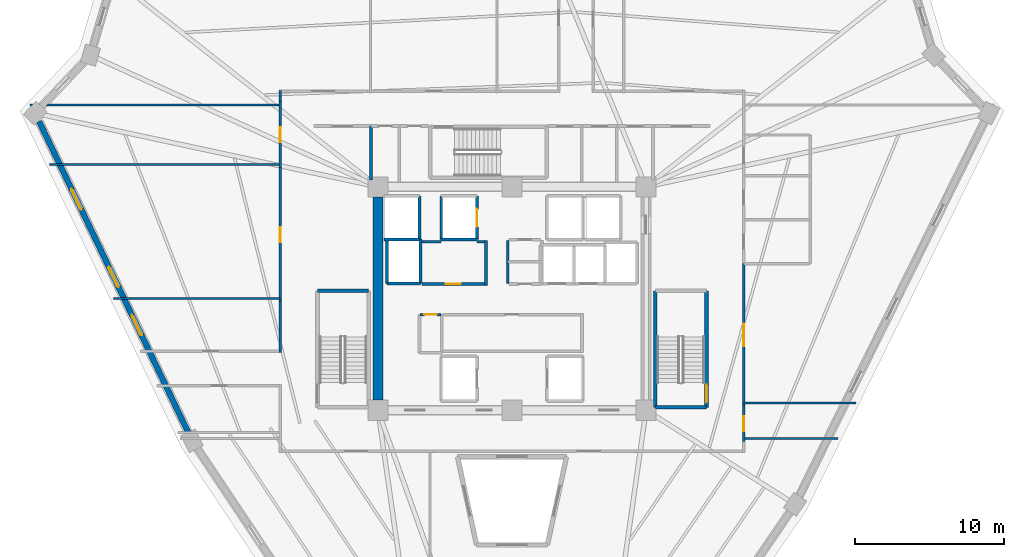
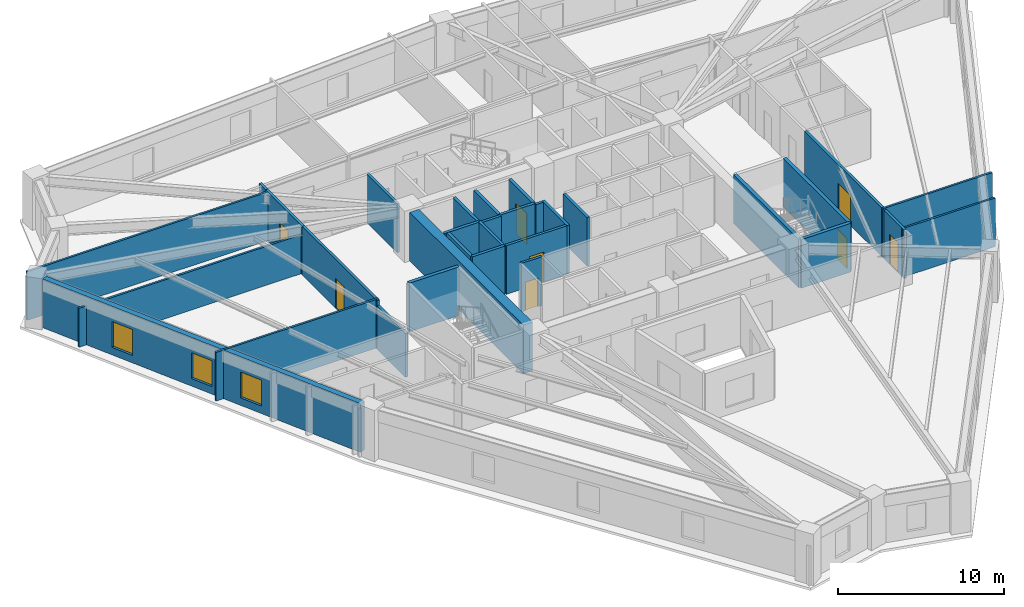
# One storey, part 4 of 8: 32 walls, 8 doors, 3 windows, 11 openings.
"""IFC4 building model written with IfcOpenShell, lengths in metres."""

import ifcopenshell
import ifcopenshell.guid

model = None  # the IFC model being written
_history = None  # IfcOwnerHistory: only IFC2X3 demands one
_inside = {}  # id of a spatial element -> (the spatial element, [elements in it])
_under = {}  # id of a project, library or spatial element -> (it, [spatial elements below it])
_declared = {}  # id of a project -> (the project, [libraries it declares])
_typed = {}  # id of a type object -> (the type object, [elements of that type])
_made_of = {}  # id of a material, layer set ... -> (it, [elements and type objects made of it])


def new_model(schema):
    """Start an empty IFC model of exactly this schema.

    Asked for "IFC4X3", IfcOpenShell would pick the latest addendum, in which some entities
    have other attributes; the version numbers below select the first issue.
    IFC2X3 requires an IfcOwnerHistory on every rooted entity: one is made here for all.
    """
    global model, _history
    if schema == "IFC4X3":
        model = ifcopenshell.file(schema_version=(4, 3, 0, 0))
    else:
        model = ifcopenshell.file(schema=schema)
    _inside.clear()
    _under.clear()
    _declared.clear()
    _typed.clear()
    _made_of.clear()
    _history = None
    if model.schema == "IFC2X3":
        org = make("IfcOrganization", Name="unknown")
        user = make(
            "IfcPersonAndOrganization",
            ThePerson=make("IfcPerson", FamilyName="unknown"),
            TheOrganization=org,
        )
        app = make(
            "IfcApplication",
            ApplicationDeveloper=org,
            Version="unknown",
            ApplicationFullName="unknown",
            ApplicationIdentifier="unknown",
        )
        _history = make(
            "IfcOwnerHistory",
            OwningUser=user,
            OwningApplication=app,
            ChangeAction="ADDED",
            CreationDate=0,
        )
    return model


def make(cls, **values):
    """One entity of the class cls with the attributes given. An attribute that is None is left unset."""
    return model.create_entity(
        cls, **{name: value for name, value in values.items() if value is not None}
    )


def rooted(cls, **values):
    """An entity with a GlobalId (a new one), such as an element, a storey or a relation."""
    return make(cls, GlobalId=ifcopenshell.guid.new(), OwnerHistory=_history, **values)


def si_unit(unit_type, name, prefix=None):
    """IfcSIUnit, for example si_unit("LENGTHUNIT", "METRE", prefix="MILLI")."""
    return make("IfcSIUnit", UnitType=unit_type, Prefix=prefix, Name=name)


def assignment(units):
    """IfcUnitAssignment: the units of a project."""
    return None if units is None else make("IfcUnitAssignment", Units=units)


def point(xyz):
    """IfcCartesianPoint."""
    return None if xyz is None else make("IfcCartesianPoint", Coordinates=xyz)


def direction(xyz):
    """IfcDirection."""
    return None if xyz is None else make("IfcDirection", DirectionRatios=xyz)


def frame(location, z_axis=None, x_axis=None):
    """IfcAxis2Placement3D, a coordinate frame: its origin and axes. An axis left out is left unset."""
    return make(
        "IfcAxis2Placement3D",
        Location=point(location),
        Axis=direction(z_axis),
        RefDirection=direction(x_axis),
    )


def frame_2d(location, x_axis=None):
    """IfcAxis2Placement2D, a coordinate frame in the plane: its origin and x axis."""
    return make(
        "IfcAxis2Placement2D", Location=point(location), RefDirection=direction(x_axis)
    )


def origin():
    """The frame at (0, 0, 0) with its axes left unset."""
    return frame((0.0, 0.0, 0.0))


def place(relative_to, where):
    """IfcLocalPlacement: puts the frame where relative to a parent placement (None: the world)."""
    return make(
        "IfcLocalPlacement", PlacementRelTo=relative_to, RelativePlacement=where
    )


def context(
    kind, dimensions, precision=None, world=None, true_north=None, identifier=None
):
    """IfcGeometricRepresentationContext, for example the 3D "Model" context."""
    return make(
        "IfcGeometricRepresentationContext",
        ContextIdentifier=identifier,
        ContextType=kind,
        CoordinateSpaceDimension=dimensions,
        Precision=precision,
        WorldCoordinateSystem=world,
        TrueNorth=true_north,
    )


def subcontext(parent, identifier, kind, view, scale=None):
    """IfcGeometricRepresentationSubContext, for example "Body" below "Model"."""
    return make(
        "IfcGeometricRepresentationSubContext",
        ContextIdentifier=identifier,
        ContextType=kind,
        ParentContext=parent,
        TargetScale=scale,
        TargetView=view,
    )


def project(units=None, contexts=None):
    """IfcProject with its units and contexts."""
    return rooted(
        "IfcProject",
        Name="project",
        RepresentationContexts=contexts,
        UnitsInContext=assignment(units),
    )


def spatial(cls, under=None, at=None, **own):
    """A site, building, storey or space (cls), placed at a placement, below another one or the project."""
    s = rooted(cls, ObjectPlacement=at, **own)
    if under is not None:
        _under.setdefault(under.id(), (under, []))[1].append(s)
    return s


def profile(cls, at=None, kind="AREA", **sizes):
    """A parametric profile (cls). Its sizes go by their IFC names, for example OverallWidth=200.0."""
    return make(cls, ProfileType=kind, Position=at, **sizes)


def rectangle(**sizes):
    """IfcRectangleProfileDef."""
    return profile("IfcRectangleProfileDef", **sizes)


def extrude(swept, where, along, depth):
    """IfcExtrudedAreaSolid: the profile swept, set in the frame where, extruded along a direction by depth."""
    return make(
        "IfcExtrudedAreaSolid",
        SweptArea=swept,
        Position=where,
        ExtrudedDirection=direction(along),
        Depth=depth,
    )


def shape(context_of_items, identifier, shape_type, items):
    """IfcShapeRepresentation: the items that make up one representation, for example the "Body"."""
    return make(
        "IfcShapeRepresentation",
        ContextOfItems=context_of_items,
        RepresentationIdentifier=identifier,
        RepresentationType=shape_type,
        Items=items,
    )


def source(mapping_origin, context_of_items, identifier, shape_type, items):
    """IfcRepresentationMap: a shape defined once, which mapped items show again and again."""
    return make(
        "IfcRepresentationMap",
        MappingOrigin=mapping_origin,
        MappedRepresentation=shape(context_of_items, identifier, shape_type, items),
    )


def transform(
    local_origin,
    x_axis=None,
    y_axis=None,
    z_axis=None,
    scale=None,
    scale2=None,
    scale3=None,
    uniform=True,
):
    """IfcCartesianTransformationOperator3D, or its non-uniform kind. x_axis, y_axis, z_axis: its Axis1, 2, 3."""
    if uniform:
        return make(
            "IfcCartesianTransformationOperator3D",
            Axis1=direction(x_axis),
            Axis2=direction(y_axis),
            LocalOrigin=point(local_origin),
            Scale=scale,
            Axis3=direction(z_axis),
        )
    return make(
        "IfcCartesianTransformationOperator3DnonUniform",
        Axis1=direction(x_axis),
        Axis2=direction(y_axis),
        LocalOrigin=point(local_origin),
        Scale=scale,
        Axis3=direction(z_axis),
        Scale2=scale2,
        Scale3=scale3,
    )


def mapped(mapping_source, mapping_target):
    """IfcMappedItem: shows the shape of a source again, moved by a transform."""
    return make(
        "IfcMappedItem", MappingSource=mapping_source, MappingTarget=mapping_target
    )


def material(Name=None, Category=None):
    """IfcMaterial."""
    return make("IfcMaterial", Name=Name, Category=Category)


def layer(
    of_material, thickness, ventilated=None, Name=None, Category=None, Priority=None
):
    """IfcMaterialLayer: one layer of a wall or slab, of a material (None: an air gap)."""
    return make(
        "IfcMaterialLayer",
        Material=of_material,
        LayerThickness=thickness,
        IsVentilated=ventilated,
        Name=Name,
        Category=Category,
        Priority=Priority,
    )


def layer_set(layers, Name=None):
    """IfcMaterialLayerSet."""
    return make("IfcMaterialLayerSet", MaterialLayers=layers, LayerSetName=Name)


def made_of(thing, what):
    """Note that an element or type object is made of a material, layer set ...; save() writes the relation."""
    if what is not None:
        _made_of.setdefault(what.id(), (what, []))[1].append(thing)
    return thing


def type_object(cls, material=None, **own):
    """A type object (cls), such as IfcWallType, which elements share."""
    return made_of(rooted(cls, **own), material)


def element(
    cls,
    number,
    at=None,
    inside=None,
    cuts=None,
    type_object=None,
    material=None,
    context=None,
    identifier="Body",
    shape_type=None,
    held_by="IfcProductDefinitionShape",
    body=None,
    shapes=None,
    **own,
):
    """One element of the class cls, such as IfcWall. Its Tag is "e" and its number.

    at: its placement. inside: the storey or other place that contains it. cuts: it is an
    opening in that element (IfcRelVoidsElement). A single representation is given by context,
    identifier, shape_type and body (its items); several are given by shapes. held_by: the class
    of the entity that holds the representations. save() writes the other relations.
    """
    e = rooted(cls, Tag="e%d" % number, ObjectPlacement=at, **own)
    if body is not None:
        shapes = [shape(context, identifier, shape_type, body)]
    if shapes is not None:
        e.Representation = make(held_by, Representations=shapes)
    if inside is not None:
        _inside.setdefault(inside.id(), (inside, []))[1].append(e)
    if cuts is not None:
        rooted(
            "IfcRelVoidsElement", RelatingBuildingElement=cuts, RelatedOpeningElement=e
        )
    if type_object is not None:
        _typed.setdefault(type_object.id(), (type_object, []))[1].append(e)
    return made_of(e, material)


def fill(opening, filler):
    """IfcRelFillsElement: the door or window that sits in an opening."""
    return rooted(
        "IfcRelFillsElement",
        RelatingOpeningElement=opening,
        RelatedBuildingElement=filler,
    )


def aggregate(whole, parts):
    """IfcRelAggregates: a whole, such as a stair, and the parts it consists of."""
    return rooted("IfcRelAggregates", RelatingObject=whole, RelatedObjects=parts)


def save(model, path):
    """Write the relations noted so far, then the file.

    IfcRelAggregates (storeys below a building ...), IfcRelContainedInSpatialStructure (elements
    in a storey), IfcRelDefinesByType, IfcRelAssociatesMaterial and IfcRelDeclares: one each for
    every whole, place, type object, material and project.
    """
    for whole, parts in _under.values():
        aggregate(whole, parts)
    for where, things in _inside.values():
        rooted(
            "IfcRelContainedInSpatialStructure",
            RelatedElements=things,
            RelatingStructure=where,
        )
    for kind, things in _typed.values():
        rooted("IfcRelDefinesByType", RelatedObjects=things, RelatingType=kind)
    for what, things in _made_of.values():
        rooted("IfcRelAssociatesMaterial", RelatedObjects=things, RelatingMaterial=what)
    for by, libraries in _declared.values():
        rooted("IfcRelDeclares", RelatingContext=by, RelatedDefinitions=libraries)
    model.write(path)


model = new_model("IFC4")

# Units and contexts
model_context = context("Model", 3, precision=1e-05, world=origin(), true_north=direction((0.0, 1.0)))
body_context = subcontext(model_context, "Body", "Model", "MODEL_VIEW")
ifc_project = project(units=[si_unit("LENGTHUNIT", "METRE"), si_unit("AREAUNIT", "SQUARE_METRE"), si_unit("VOLUMEUNIT", "CUBIC_METRE"), si_unit("PLANEANGLEUNIT", "RADIAN"), si_unit("MASSUNIT", "GRAM", prefix="KILO")], contexts=[model_context])

# Site, building, storey
site_placement = place(None, origin())
site = spatial("IfcSite", under=ifc_project, at=site_placement, CompositionType="ELEMENT")
building_placement = place(site_placement, origin())
building = spatial("IfcBuilding", under=site, at=building_placement, Name="Liaohun Quay Tower", CompositionType="ELEMENT")
storey_placement = place(building_placement, frame((0.0, 0.0, 251.25)))
storey = spatial("IfcBuildingStorey", under=building, at=storey_placement, Name="L65", CompositionType="ELEMENT", Elevation=251.25)

# Wall
ifc_material_1 = material(Name="Concrete C55", Category="concrete")
ifc_layer_1 = layer(ifc_material_1, 0.64990234375, Name="Concrete C55", Category="concrete")
ifc_layer_set_1 = layer_set([ifc_layer_1], Name="Concrete C55")
wall_type_1 = type_object("IfcWallType", Name="WAL-COR-Z3", PredefinedType="SHEAR", material=ifc_layer_set_1)
wall_1_placement = place(storey_placement, frame((51.0, 47.175048828125, 0.0), z_axis=(0.0, 0.0, 1.0), x_axis=(0.0, 1.0, 0.0)))
element("IfcWall", 1, at=wall_1_placement, inside=storey, type_object=wall_type_1, Name="L65 Central Core Shear Wall W", PredefinedType="SHEAR", context=body_context, shape_type="SweptSolid", body=[
    extrude(rectangle(XDim=13.64990234375, YDim=0.64990234375, at=frame_2d((6.824951171875, 0.0))), origin(), (0.0, 0.0, 1.0), 3.570068359375),
])

# Wall, openings, windows
ifc_material_2 = material(Name="Precast concrete C50 insulated sandwich", Category="concrete")
ifc_layer_2 = layer(ifc_material_2, 0.3798828125, Name="Precast concrete C50 insulated sandwich", Category="concrete")
ifc_layer_set_2 = layer_set([ifc_layer_2], Name="Precast concrete C50 insulated sandwich")
wall_type_2 = type_object("IfcWallType", Name="WAL-EXT-Z34", PredefinedType="SOLIDWALL", material=ifc_layer_set_2)
wall_2_placement = place(storey_placement, frame((28.256103515625, 65.885986328125, 0.0), z_axis=(0.0, 0.0, 1.0), x_axis=(0.432167516052, -0.901793345545, 0.0)))
wall_2 = element("IfcWall", 2, at=wall_2_placement, inside=storey, type_object=wall_type_2, Name="L65 Brutalist Precast Pier Wall 10", PredefinedType="SOLIDWALL", context=body_context, shape_type="SweptSolid", body=[
    extrude(rectangle(XDim=23.1572265625, YDim=0.3798828125, at=frame_2d((11.57861328125, 0.0))), origin(), (0.0, 0.0, 1.0), 3.570068359375),
])
shared_shape_1 = source(origin(), body_context, "Body", "SweptSolid", [
    extrude(rectangle(XDim=1.5, YDim=1.89990234375, at=frame_2d((0.75, 0.949951171875))), frame((0.0, 0.199951171875, 0.0), z_axis=(0.0, -1.0, 0.0), x_axis=(1.0, 0.0, 0.0)), (0.0, 0.0, 1.0), 0.39990234375),
])
opening_1_placement = place(wall_2_placement, frame((5.0390625, 0.0, 0.550048828125)))
opening_1 = element("IfcOpeningElement", 3, at=opening_1_placement, cuts=wall_2, Name="Opening W03", PredefinedType="OPENING", context=body_context, shape_type="MappedRepresentation", body=[
    mapped(shared_shape_1, transform((0.0, 0.0, 0.0), x_axis=(1.0, 0.0, 0.0), y_axis=(0.0, 1.0, 0.0), z_axis=(0.0, 0.0, 1.0), scale=1.0)),
])
opening_2_placement = place(wall_2_placement, frame((10.8291015625, 0.0, 0.550048828125)))
opening_2 = element("IfcOpeningElement", 4, at=opening_2_placement, cuts=wall_2, Name="Opening W03", PredefinedType="OPENING", context=body_context, shape_type="MappedRepresentation", body=[
    mapped(shared_shape_1, transform((0.0, 0.0, 0.0), x_axis=(1.0, 0.0, 0.0), y_axis=(0.0, 1.0, 0.0), z_axis=(0.0, 0.0, 1.0), scale=1.0)),
])
opening_3_placement = place(wall_2_placement, frame((14.41796875, 0.0, 0.550048828125)))
opening_3 = element("IfcOpeningElement", 5, at=opening_3_placement, cuts=wall_2, Name="Opening W03", PredefinedType="OPENING", context=body_context, shape_type="MappedRepresentation", body=[
    mapped(shared_shape_1, transform((0.0, 0.0, 0.0), x_axis=(1.0, 0.0, 0.0), y_axis=(0.0, 1.0, 0.0), z_axis=(0.0, 0.0, 1.0), scale=1.0)),
])
ifc_material_3 = material(Name="Triple Low-E argon glazing in thermally broken aluminium", Category="aluminium")
window_type = type_object("IfcWindowType", Name="WIN-PUN-Z3", PartitioningType="DOUBLE_PANEL_VERTICAL", PredefinedType="WINDOW", material=ifc_material_3)
shared_shape_2 = source(origin(), body_context, "Body", "SweptSolid", [
    extrude(rectangle(XDim=1.5, YDim=1.89990234375, at=frame_2d((0.75, 0.949951171875))), frame((0.0, 0.030029296875, 0.0), z_axis=(0.0, -1.0, 0.0), x_axis=(1.0, 0.0, 0.0)), (0.0, 0.0, 1.0), 0.06005859375),
])
window_1_placement = place(opening_1_placement, origin())
window_1 = element("IfcWindow", 6, at=window_1_placement, inside=storey, type_object=window_type, Name="L65 Recessed Cold-Climate Punched Window 10-1", OverallHeight=1.89990234375, OverallWidth=1.5, PartitioningType="DOUBLE_PANEL_VERTICAL", PredefinedType="WINDOW", context=body_context, shape_type="MappedRepresentation", body=[
    mapped(shared_shape_2, transform((0.0, 0.0, 0.0), x_axis=(1.0, 0.0, 0.0), y_axis=(0.0, 1.0, 0.0), z_axis=(0.0, 0.0, 1.0), scale=1.0)),
])
fill(opening_1, window_1)
window_2_placement = place(opening_2_placement, origin())
window_2 = element("IfcWindow", 7, at=window_2_placement, inside=storey, type_object=window_type, Name="L65 Recessed Cold-Climate Punched Window 10-2", OverallHeight=1.89990234375, OverallWidth=1.5, PartitioningType="DOUBLE_PANEL_VERTICAL", PredefinedType="WINDOW", context=body_context, shape_type="MappedRepresentation", body=[
    mapped(shared_shape_2, transform((0.0, 0.0, 0.0), x_axis=(1.0, 0.0, 0.0), y_axis=(0.0, 1.0, 0.0), z_axis=(0.0, 0.0, 1.0), scale=1.0)),
])
fill(opening_2, window_2)
window_3_placement = place(opening_3_placement, origin())
window_3 = element("IfcWindow", 8, at=window_3_placement, inside=storey, type_object=window_type, Name="L65 Recessed Cold-Climate Punched Window 10-3", OverallHeight=1.89990234375, OverallWidth=1.5, PartitioningType="DOUBLE_PANEL_VERTICAL", PredefinedType="WINDOW", context=body_context, shape_type="MappedRepresentation", body=[
    mapped(shared_shape_2, transform((0.0, 0.0, 0.0), x_axis=(1.0, 0.0, 0.0), y_axis=(0.0, 1.0, 0.0), z_axis=(0.0, 0.0, 1.0), scale=1.0)),
])
fill(opening_3, window_3)

# Wall, opening, door
ifc_material_4 = material(Name="Autoclaved aerated concrete blockwork", Category="masonry")
ifc_layer_3 = layer(ifc_material_4, 0.179931640625, Name="Autoclaved aerated concrete blockwork", Category="masonry")
ifc_layer_set_3 = layer_set([ifc_layer_3], Name="Autoclaved aerated concrete blockwork")
wall_type_3 = type_object("IfcWallType", Name="WAL-PRT-COR", PredefinedType="PARTITIONING", material=ifc_layer_set_3)
wall_3_placement = place(storey_placement, frame((53.949951171875, 54.97998046875, 0.0), z_axis=(0.0, 0.0, 1.0), x_axis=(1.0, 0.0, 0.0)))
wall_3 = element("IfcWall", 9, at=wall_3_placement, inside=storey, type_object=wall_type_3, Name="L65 Interior Partition Wall 002", PredefinedType="PARTITIONING", context=body_context, shape_type="SweptSolid", body=[
    extrude(rectangle(XDim=4.2099609375, YDim=0.179931640625, at=frame_2d((2.10498046875, 0.0))), origin(), (0.0, 0.0, 1.0), 3.570068359375),
])
shared_shape_3 = source(origin(), body_context, "Body", "SweptSolid", [
    extrude(rectangle(XDim=1.0, YDim=2.199951171875, at=frame_2d((0.5, 1.10009765625))), frame((0.0, 0.099853515625, 0.0), z_axis=(0.0, -1.0, 0.0), x_axis=(1.0, 0.0, 0.0)), (0.0, 0.0, 1.0), 0.199951171875),
])
opening_4_placement = place(wall_3_placement, frame((1.60009765625, 0.0, 0.0)))
opening_4 = element("IfcOpeningElement", 10, at=opening_4_placement, cuts=wall_3, Name="Opening OD1", PredefinedType="OPENING", context=body_context, shape_type="MappedRepresentation", body=[
    mapped(shared_shape_3, transform((0.0, 0.0, 0.0), x_axis=(1.0, 0.0, 0.0), y_axis=(0.0, 1.0, 0.0), z_axis=(0.0, 0.0, 1.0), scale=1.0)),
])
ifc_material_5 = material(Name="Solid-core oak veneer timber leaf in steel frame", Category="steel")
door_type_1 = type_object("IfcDoorType", Name="DOR-OFF-1000", OperationType="NOTDEFINED", PredefinedType="DOOR", material=ifc_material_5)
shared_shape_4 = source(origin(), body_context, "Body", "SweptSolid", [
    extrude(rectangle(XDim=1.0, YDim=2.199951171875, at=frame_2d((0.5, 1.10009765625))), frame((0.0, 0.02490234375, 0.0), z_axis=(0.0, -1.0, 0.0), x_axis=(1.0, 0.0, 0.0)), (0.0, 0.0, 1.0), 0.050048828125),
])
door_1_placement = place(opening_4_placement, origin())
door_1 = element("IfcDoor", 11, at=door_1_placement, inside=storey, type_object=door_type_1, Name="L65 Core Staff Pantry and Tea Room Door", OperationType="SINGLE_SWING_RIGHT", OverallHeight=2.199951171875, OverallWidth=1.0, PredefinedType="DOOR", context=body_context, shape_type="MappedRepresentation", body=[
    mapped(shared_shape_4, transform((0.0, 0.0, 0.0), x_axis=(1.0, 0.0, 0.0), y_axis=(0.0, 1.0, 0.0), z_axis=(0.0, 0.0, 1.0), scale=1.0)),
])
fill(opening_4, door_1)

wall_4_placement = place(storey_placement, frame((53.820068359375, 52.919921875, 0.0), z_axis=(0.0, 0.0, 1.0), x_axis=(1.0, 0.0, 0.0)))
wall_4 = element("IfcWall", 12, at=wall_4_placement, inside=storey, type_object=wall_type_3, Name="L65 Interior Partition Wall 005", PredefinedType="PARTITIONING", context=body_context, shape_type="SweptSolid", body=[
    extrude(rectangle(XDim=1.429931640625, YDim=0.179931640625, at=frame_2d((0.71484375, 0.0))), origin(), (0.0, 0.0, 1.0), 3.570068359375),
])
shared_shape_5 = source(origin(), body_context, "Body", "SweptSolid", [
    extrude(rectangle(XDim=0.85009765625, YDim=2.10009765625, at=frame_2d((0.425048828125, 1.050048828125))), frame((0.0, 0.099853515625, 0.0), z_axis=(0.0, -1.0, 0.0), x_axis=(1.0, 0.0, 0.0)), (0.0, 0.0, 1.0), 0.199951171875),
])
opening_5_placement = place(wall_4_placement, frame((0.2900390625, 0.0, 0.0)))
opening_5 = element("IfcOpeningElement", 13, at=opening_5_placement, cuts=wall_4, Name="Opening AD1", PredefinedType="OPENING", context=body_context, shape_type="MappedRepresentation", body=[
    mapped(shared_shape_5, transform((0.0, 0.0, 0.0), x_axis=(1.0, 0.0, 0.0), y_axis=(0.0, 1.0, 0.0), z_axis=(0.0, 0.0, 1.0), scale=1.0)),
])
ifc_material_6 = material(Name="Steel riser inspection fire door", Category="steel")
door_type_2 = type_object("IfcDoorType", Name="DOR-SHF-850", OperationType="NOTDEFINED", PredefinedType="DOOR", material=ifc_material_6)
shared_shape_6 = source(origin(), body_context, "Body", "SweptSolid", [
    extrude(rectangle(XDim=0.85009765625, YDim=2.10009765625, at=frame_2d((0.425048828125, 1.050048828125))), frame((0.0, 0.02490234375, 0.0), z_axis=(0.0, -1.0, 0.0), x_axis=(1.0, 0.0, 0.0)), (0.0, 0.0, 1.0), 0.050048828125),
])
door_2_placement = place(opening_5_placement, origin())
door_2 = element("IfcDoor", 14, at=door_2_placement, inside=storey, type_object=door_type_2, Name="L65 Core Fire Hose and Riser Closet Door", OperationType="SINGLE_SWING_LEFT", OverallHeight=2.10009765625, OverallWidth=0.85009765625, PredefinedType="DOOR", context=body_context, shape_type="MappedRepresentation", body=[
    mapped(shared_shape_6, transform((0.0, 0.0, 0.0), x_axis=(1.0, 0.0, 0.0), y_axis=(0.0, 1.0, 0.0), z_axis=(0.0, 0.0, 1.0), scale=1.0)),
])
fill(opening_5, door_2)

wall_5_placement = place(storey_placement, frame((75.56005859375, 56.340087890625, 0.0), z_axis=(0.0, 0.0, 1.0), x_axis=(0.0, -1.0, 0.0)))
wall_5 = element("IfcWall", 15, at=wall_5_placement, inside=storey, type_object=wall_type_3, Name="L65 Interior Partition Wall 016", PredefinedType="PARTITIONING", context=body_context, shape_type="SweptSolid", body=[
    extrude(rectangle(XDim=9.55517578125, YDim=0.179931640625, at=frame_2d((4.777587890625, 0.0))), origin(), (0.0, 0.0, 1.0), 3.570068359375),
])
shared_shape_7 = source(origin(), body_context, "Body", "SweptSolid", [
    extrude(rectangle(XDim=1.5, YDim=2.199951171875, at=frame_2d((0.75, 1.10009765625))), frame((0.0, 0.099853515625, 0.0), z_axis=(0.0, -1.0, 0.0), x_axis=(1.0, 0.0, 0.0)), (0.0, 0.0, 1.0), 0.199951171875),
])
opening_6_placement = place(wall_5_placement, frame((4.028076171875, 0.0, 0.0)))
opening_6 = element("IfcOpeningElement", 16, at=opening_6_placement, cuts=wall_5, Name="Opening OD2", PredefinedType="OPENING", context=body_context, shape_type="MappedRepresentation", body=[
    mapped(shared_shape_7, transform((0.0, 0.0, 0.0), x_axis=(1.0, 0.0, 0.0), y_axis=(0.0, 1.0, 0.0), z_axis=(0.0, 0.0, 1.0), scale=1.0)),
])
ifc_material_7 = material(Name="Acoustic oak veneer double door")
door_type_3 = type_object("IfcDoorType", Name="DOR-OFF-1500", OperationType="DOUBLE_DOOR_SINGLE_SWING", PredefinedType="DOOR", material=ifc_material_7)
shared_shape_8 = source(origin(), body_context, "Body", "SweptSolid", [
    extrude(rectangle(XDim=1.5, YDim=2.199951171875, at=frame_2d((0.75, 1.10009765625))), frame((0.0, 0.02490234375, 0.0), z_axis=(0.0, -1.0, 0.0), x_axis=(1.0, 0.0, 0.0)), (0.0, 0.0, 1.0), 0.050048828125),
])
door_3_placement = place(opening_6_placement, origin())
door_3 = element("IfcDoor", 17, at=door_3_placement, inside=storey, type_object=door_type_3, Name="L65 Digital Prototyping Laboratory 01 Door", OperationType="DOUBLE_DOOR_SINGLE_SWING", OverallHeight=2.199951171875, OverallWidth=1.5, PredefinedType="DOOR", context=body_context, shape_type="MappedRepresentation", body=[
    mapped(shared_shape_8, transform((0.0, 0.0, 0.0), x_axis=(1.0, 0.0, 0.0), y_axis=(0.0, 1.0, 0.0), z_axis=(0.0, 0.0, 1.0), scale=1.0)),
])
fill(opening_6, door_3)

wall_6_placement = place(storey_placement, frame((44.43994140625, 62.784912109375, 0.0), z_axis=(0.0, 0.0, 1.0), x_axis=(0.0, 1.0, 0.0)))
wall_6 = element("IfcWall", 18, at=wall_6_placement, inside=storey, type_object=wall_type_3, Name="L65 Interior Partition Wall 022", PredefinedType="PARTITIONING", context=body_context, shape_type="SweptSolid", body=[
    extrude(rectangle(XDim=4.43017578125, YDim=0.179931640625, at=frame_2d((2.215087890625, 0.0))), origin(), (0.0, 0.0, 1.0), 3.570068359375),
])
opening_7_placement = place(wall_6_placement, frame((1.715087890625, 0.0, 0.0)))
opening_7 = element("IfcOpeningElement", 19, at=opening_7_placement, cuts=wall_6, Name="Opening OD1", PredefinedType="OPENING", context=body_context, shape_type="MappedRepresentation", body=[
    mapped(shared_shape_3, transform((0.0, 0.0, 0.0), x_axis=(1.0, 0.0, 0.0), y_axis=(0.0, 1.0, 0.0), z_axis=(0.0, 0.0, 1.0), scale=1.0)),
])
door_4_placement = place(opening_7_placement, origin())
door_4 = element("IfcDoor", 20, at=door_4_placement, inside=storey, type_object=door_type_1, Name="L65 Digital Prototyping Laboratory 07 Door", OperationType="SINGLE_SWING_RIGHT", OverallHeight=2.199951171875, OverallWidth=1.0, PredefinedType="DOOR", context=body_context, shape_type="MappedRepresentation", body=[
    mapped(shared_shape_4, transform((0.0, 0.0, 0.0), x_axis=(1.0, 0.0, 0.0), y_axis=(0.0, 1.0, 0.0), z_axis=(0.0, 0.0, 1.0), scale=1.0)),
])
fill(opening_7, door_4)

wall_7_placement = place(storey_placement, frame((44.43994140625, 53.784912109375, 0.0), z_axis=(0.0, 0.0, 1.0), x_axis=(0.0, 1.0, 0.0)))
wall_7 = element("IfcWall", 21, at=wall_7_placement, inside=storey, type_object=wall_type_3, Name="L65 Interior Partition Wall 023", PredefinedType="PARTITIONING", context=body_context, shape_type="SweptSolid", body=[
    extrude(rectangle(XDim=9.0, YDim=0.179931640625, at=frame_2d((4.5, 0.0))), origin(), (0.0, 0.0, 1.0), 3.570068359375),
])
opening_8_placement = place(wall_7_placement, frame((4.0, 0.0, 0.0)))
opening_8 = element("IfcOpeningElement", 22, at=opening_8_placement, cuts=wall_7, Name="Opening OD1", PredefinedType="OPENING", context=body_context, shape_type="MappedRepresentation", body=[
    mapped(shared_shape_3, transform((0.0, 0.0, 0.0), x_axis=(1.0, 0.0, 0.0), y_axis=(0.0, 1.0, 0.0), z_axis=(0.0, 0.0, 1.0), scale=1.0)),
])
door_5_placement = place(opening_8_placement, origin())
door_5 = element("IfcDoor", 23, at=door_5_placement, inside=storey, type_object=door_type_1, Name="L65 Occupational Wellness Clinic 08 Door", OperationType="SINGLE_SWING_LEFT", OverallHeight=2.199951171875, OverallWidth=1.0, PredefinedType="DOOR", context=body_context, shape_type="MappedRepresentation", body=[
    mapped(shared_shape_4, transform((0.0, 0.0, 0.0), x_axis=(1.0, 0.0, 0.0), y_axis=(0.0, 1.0, 0.0), z_axis=(0.0, 0.0, 1.0), scale=1.0)),
])
fill(opening_8, door_5)

wall_8_placement = place(storey_placement, frame((75.56005859375, 46.784912109375, 0.0), z_axis=(0.0, 0.0, 1.0), x_axis=(0.0, -1.0, 0.0)))
wall_8 = element("IfcWall", 24, at=wall_8_placement, inside=storey, type_object=wall_type_3, Name="L65 Interior Partition Wall 028", PredefinedType="PARTITIONING", context=body_context, shape_type="SweptSolid", body=[
    extrude(rectangle(XDim=2.39990234375, YDim=0.179931640625, at=frame_2d((1.199951171875, 0.0))), origin(), (0.0, 0.0, 1.0), 3.570068359375),
])
opening_9_placement = place(wall_8_placement, frame((0.699951171875, 0.0, 0.0)))
opening_9 = element("IfcOpeningElement", 25, at=opening_9_placement, cuts=wall_8, Name="Opening OD1", PredefinedType="OPENING", context=body_context, shape_type="MappedRepresentation", body=[
    mapped(shared_shape_3, transform((0.0, 0.0, 0.0), x_axis=(1.0, 0.0, 0.0), y_axis=(0.0, 1.0, 0.0), z_axis=(0.0, 0.0, 1.0), scale=1.0)),
])
door_6_placement = place(opening_9_placement, origin())
door_6 = element("IfcDoor", 26, at=door_6_placement, inside=storey, type_object=door_type_1, Name="L65 Regional Advisory Office 13 Door", OperationType="SINGLE_SWING_RIGHT", OverallHeight=2.199951171875, OverallWidth=1.0, PredefinedType="DOOR", context=body_context, shape_type="MappedRepresentation", body=[
    mapped(shared_shape_4, transform((0.0, 0.0, 0.0), x_axis=(1.0, 0.0, 0.0), y_axis=(0.0, 1.0, 0.0), z_axis=(0.0, 0.0, 1.0), scale=1.0)),
])
fill(opening_9, door_6)

# Walls
wall_9_placement = place(storey_placement, frame((59.719970703125, 55.02001953125, 0.0), z_axis=(0.0, 0.0, 1.0), x_axis=(0.0, 1.0, 0.0)))
element("IfcWall", 27, at=wall_9_placement, inside=storey, type_object=wall_type_3, Name="L65 Interior Partition Wall 029", PredefinedType="PARTITIONING", context=body_context, shape_type="SweptSolid", body=[
    extrude(rectangle(XDim=2.8798828125, YDim=0.179931640625, at=frame_2d((1.43994140625, 0.0))), origin(), (0.0, 0.0, 1.0), 3.570068359375),
])
wall_10_placement = place(storey_placement, frame((50.5400390625, 61.949951171875, 0.0), z_axis=(0.0, 0.0, 1.0), x_axis=(0.0, 1.0, 0.0)))
element("IfcWall", 28, at=wall_10_placement, inside=storey, type_object=wall_type_3, Name="L65 Interior Partition Wall 040", PredefinedType="PARTITIONING", context=body_context, shape_type="SweptSolid", body=[
    extrude(rectangle(XDim=3.630126953125, YDim=0.179931640625, at=frame_2d((1.81494140625, 0.0))), origin(), (0.0, 0.0, 1.0), 3.570068359375),
])
wall_11_placement = place(storey_placement, frame((44.43994140625, 67.215087890625, 0.0), z_axis=(0.0, 0.0, 1.0), x_axis=(0.0, 1.0, 0.0)))
element("IfcWall", 29, at=wall_11_placement, inside=storey, type_object=wall_type_3, Name="L65 Interior Partition Wall 049", PredefinedType="PARTITIONING", context=body_context, shape_type="SweptSolid", body=[
    extrude(rectangle(XDim=0.764892578125, YDim=0.179931640625, at=frame_2d((0.38232421875, 0.0))), origin(), (0.0, 0.0, 1.0), 3.570068359375),
])
wall_12_placement = place(storey_placement, frame((44.43994140625, 50.389892578125, 0.0), z_axis=(0.0, 0.0, 1.0), x_axis=(0.0, 1.0, 0.0)))
element("IfcWall", 30, at=wall_12_placement, inside=storey, type_object=wall_type_3, Name="L65 Interior Partition Wall 050", PredefinedType="PARTITIONING", context=body_context, shape_type="SweptSolid", body=[
    extrude(rectangle(XDim=3.39501953125, YDim=0.179931640625, at=frame_2d((1.697509765625, 0.0))), origin(), (0.0, 0.0, 1.0), 3.205078125),
])
wall_13_placement = place(storey_placement, frame((58.25, 54.889892578125, 0.0), z_axis=(0.0, 0.0, 1.0), x_axis=(0.0, 1.0, 0.0)))
element("IfcWall", 31, at=wall_13_placement, inside=storey, type_object=wall_type_3, Name="L65 Interior Partition Wall 068", PredefinedType="PARTITIONING", context=body_context, shape_type="SweptSolid", body=[
    extrude(rectangle(XDim=3.02001953125, YDim=0.179931640625, at=frame_2d((1.510009765625, 0.0))), origin(), (0.0, 0.0, 1.0), 3.570068359375),
])
wall_14_placement = place(storey_placement, frame((53.949951171875, 57.820068359375, 0.0), z_axis=(0.0, 0.0, 1.0), x_axis=(1.0, 0.0, 0.0)))
element("IfcWall", 32, at=wall_14_placement, inside=storey, type_object=wall_type_3, Name="L65 Interior Partition Wall 069", PredefinedType="PARTITIONING", context=body_context, shape_type="SweptSolid", body=[
    extrude(rectangle(XDim=1.300048828125, YDim=0.179931640625, at=frame_2d((0.64990234375, 0.0))), origin(), (0.0, 0.0, 1.0), 3.570068359375),
])
wall_15_placement = place(storey_placement, frame((57.64990234375, 57.820068359375, 0.0), z_axis=(0.0, 0.0, 1.0), x_axis=(1.0, 0.0, 0.0)))
element("IfcWall", 33, at=wall_15_placement, inside=storey, type_object=wall_type_3, Name="L65 Interior Partition Wall 070", PredefinedType="PARTITIONING", context=body_context, shape_type="SweptSolid", body=[
    extrude(rectangle(XDim=0.510009765625, YDim=0.179931640625, at=frame_2d((0.2548828125, 0.0))), origin(), (0.0, 0.0, 1.0), 3.570068359375),
])
ifc_material_8 = material(Name="Gypsum board on twin steel studs", Category="steel")
ifc_layer_4 = layer(ifc_material_8, 0.139892578125, Name="Gypsum board on twin steel studs", Category="steel")
ifc_layer_set_4 = layer_set([ifc_layer_4], Name="Gypsum board on twin steel studs")
wall_type_4 = type_object("IfcWallType", Name="WAL-PRT-OFF", PredefinedType="PARTITIONING", material=ifc_layer_set_4)
wall_16_placement = place(storey_placement, frame((44.5400390625, 54.0, 0.0), z_axis=(0.0, 0.0, 1.0), x_axis=(-1.0, 0.0, 0.0)))
element("IfcWall", 34, at=wall_16_placement, inside=storey, type_object=wall_type_4, Name="L65 Interior Partition Wall 056", PredefinedType="PARTITIONING", context=body_context, shape_type="SweptSolid", body=[
    extrude(rectangle(XDim=11.287109375, YDim=0.139892578125, at=frame_2d((5.6435546875, 0.0))), origin(), (0.0, 0.0, 1.0), 3.570068359375),
])
wall_17_placement = place(storey_placement, frame((44.5400390625, 63.0, 0.0), z_axis=(0.0, 0.0, 1.0), x_axis=(-1.0, 0.0, 0.0)))
element("IfcWall", 35, at=wall_17_placement, inside=storey, type_object=wall_type_4, Name="L65 Interior Partition Wall 057", PredefinedType="PARTITIONING", context=body_context, shape_type="SweptSolid", body=[
    extrude(rectangle(XDim=15.60009765625, YDim=0.139892578125, at=frame_2d((7.800048828125, 0.0))), origin(), (0.0, 0.0, 1.0), 2.85498046875),
])
wall_18_placement = place(storey_placement, frame((44.5400390625, 67.0, 0.0), z_axis=(0.0, 0.0, 1.0), x_axis=(-1.0, 0.0, 0.0)))
element("IfcWall", 36, at=wall_18_placement, inside=storey, type_object=wall_type_4, Name="L65 Interior Partition Wall 058", PredefinedType="PARTITIONING", context=body_context, shape_type="SweptSolid", body=[
    extrude(rectangle(XDim=16.887939453125, YDim=0.139892578125, at=frame_2d((8.44384765625, 0.0))), origin(), (0.0, 0.0, 1.0), 3.570068359375),
])
wall_19_placement = place(storey_placement, frame((75.4599609375, 44.60009765625, 0.0), z_axis=(0.0, 0.0, 1.0), x_axis=(1.0, 0.0, 0.0)))
element("IfcWall", 37, at=wall_19_placement, inside=storey, type_object=wall_type_4, Name="L65 Interior Partition Wall 059", PredefinedType="PARTITIONING", context=body_context, shape_type="SweptSolid", body=[
    extrude(rectangle(XDim=6.43701171875, YDim=0.139892578125, at=frame_2d((3.218505859375, 0.0))), origin(), (0.0, 0.0, 1.0), 3.570068359375),
])
wall_20_placement = place(storey_placement, frame((75.4599609375, 47.0, 0.0), z_axis=(0.0, 0.0, 1.0), x_axis=(1.0, 0.0, 0.0)))
element("IfcWall", 38, at=wall_20_placement, inside=storey, type_object=wall_type_4, Name="L65 Interior Partition Wall 060", PredefinedType="PARTITIONING", context=body_context, shape_type="SweptSolid", body=[
    extrude(rectangle(XDim=7.625, YDim=0.139892578125, at=frame_2d((3.8125, 0.0))), origin(), (0.0, 0.0, 1.0), 3.570068359375),
])
ifc_material_9 = material(Name="Concrete C50", Category="concrete")
ifc_layer_5 = layer(ifc_material_9, 0.239990234375, Name="Concrete C50", Category="concrete")
ifc_layer_set_5 = layer_set([ifc_layer_5], Name="Concrete C50")
wall_type_5 = type_object("IfcWallType", Name="WAL-SHF-200", PredefinedType="SOLIDWALL", material=ifc_layer_set_5)
for number, where, z_axis, x_axis, name in (
    (39, (50.3798828125, 54.52001953125, 0.0), (0.0, 0.0, 1.0), (-1.0, 0.0, 0.0), "L65 Stairwell ST-1 Structural Core Wall N"),
    (40, (69.6201171875, 46.699951171875, 0.0), (0.0, 0.0, 1.0), (1.0, 0.0, 0.0), "L65 Stairwell ST-2 Structural Core Wall S"),
):
    element("IfcWall", number, at=place(storey_placement, frame(where, z_axis=z_axis, x_axis=x_axis)), inside=storey, type_object=wall_type_5, Name=name, PredefinedType="SOLIDWALL", context=body_context, shape_type="SweptSolid", body=[
        extrude(rectangle(XDim=3.43994140625, YDim=0.239990234375, at=frame_2d((1.719970703125, 0.0))), origin(), (0.0, 0.0, 1.0), 3.570068359375),
    ])

# Wall, opening, door
wall_21_placement = place(storey_placement, frame((73.06005859375, 46.699951171875, 0.0), z_axis=(0.0, 0.0, 1.0), x_axis=(0.0, 1.0, 0.0)))
wall_21 = element("IfcWall", 41, at=wall_21_placement, inside=storey, type_object=wall_type_5, Name="L65 Stairwell ST-2 Structural Core Wall E", PredefinedType="SOLIDWALL", context=body_context, shape_type="SweptSolid", body=[
    extrude(rectangle(XDim=7.820068359375, YDim=0.239990234375, at=frame_2d((3.91015625, 0.0))), origin(), (0.0, 0.0, 1.0), 3.570068359375),
])
shared_shape_9 = source(origin(), body_context, "Body", "SweptSolid", [
    extrude(rectangle(XDim=1.199951171875, YDim=2.199951171875, at=frame_2d((0.60009765625, 1.10009765625))), frame((0.0, 0.1298828125, 0.0), z_axis=(0.0, -1.0, 0.0), x_axis=(1.0, 0.0, 0.0)), (0.0, 0.0, 1.0), 0.260009765625),
])
opening_10_placement = place(wall_21_placement, frame((0.320068359375, 0.0, 0.0)))
opening_10 = element("IfcOpeningElement", 42, at=opening_10_placement, cuts=wall_21, Name="Opening SD1", PredefinedType="OPENING", context=body_context, shape_type="MappedRepresentation", body=[
    mapped(shared_shape_9, transform((0.0, 0.0, 0.0), x_axis=(1.0, 0.0, 0.0), y_axis=(0.0, 1.0, 0.0), z_axis=(0.0, 0.0, 1.0), scale=1.0)),
])
ifc_material_10 = material(Name="Galvanised steel fire door", Category="steel")
door_type_4 = type_object("IfcDoorType", Name="DOR-STR-1200", OperationType="NOTDEFINED", PredefinedType="DOOR", material=ifc_material_10)
shared_shape_10 = source(origin(), body_context, "Body", "SweptSolid", [
    extrude(rectangle(XDim=1.199951171875, YDim=2.199951171875, at=frame_2d((0.60009765625, 1.10009765625))), frame((0.0, 0.02490234375, 0.0), z_axis=(0.0, -1.0, 0.0), x_axis=(1.0, 0.0, 0.0)), (0.0, 0.0, 1.0), 0.050048828125),
])
door_7_placement = place(opening_10_placement, origin())
door_7 = element("IfcDoor", 43, at=door_7_placement, inside=storey, type_object=door_type_4, Name="L65 Protected Stair ST-2 Fire Door", OperationType="SINGLE_SWING_RIGHT", OverallHeight=2.199951171875, OverallWidth=1.199951171875, PredefinedType="DOOR", context=body_context, shape_type="MappedRepresentation", body=[
    mapped(shared_shape_10, transform((0.0, 0.0, 0.0), x_axis=(1.0, 0.0, 0.0), y_axis=(0.0, 1.0, 0.0), z_axis=(0.0, 0.0, 1.0), scale=1.0)),
])
fill(opening_10, door_7)

# Walls
wall_22_placement = place(storey_placement, frame((69.6201171875, 54.52001953125, 0.0), z_axis=(0.0, 0.0, 1.0), x_axis=(0.0, -1.0, 0.0)))
element("IfcWall", 44, at=wall_22_placement, inside=storey, type_object=wall_type_5, Name="L65 Stairwell ST-2 Structural Core Wall W", PredefinedType="SOLIDWALL", context=body_context, shape_type="SweptSolid", body=[
    extrude(rectangle(XDim=7.820068359375, YDim=0.239990234375, at=frame_2d((3.91015625, 0.0))), origin(), (0.0, 0.0, 1.0), 3.570068359375),
])
wall_23_placement = place(storey_placement, frame((55.25, 57.949951171875, 0.0), z_axis=(0.0, 0.0, 1.0), x_axis=(1.0, 0.0, 0.0)))
element("IfcWall", 45, at=wall_23_placement, inside=storey, type_object=wall_type_5, Name="L65 Lift FF-03 Hoistway Wall S", PredefinedType="SOLIDWALL", context=body_context, shape_type="SweptSolid", body=[
    extrude(rectangle(XDim=2.39990234375, YDim=0.199951171875, at=frame_2d((1.199951171875, 0.0))), origin(), (0.0, 0.0, 1.0), 3.570068359375),
])

# Wall, opening, door
wall_24_placement = place(storey_placement, frame((57.64990234375, 57.949951171875, 0.0), z_axis=(0.0, 0.0, 1.0), x_axis=(0.0, 1.0, 0.0)))
wall_24 = element("IfcWall", 46, at=wall_24_placement, inside=storey, type_object=wall_type_5, Name="L65 Lift FF-03 Hoistway Wall E", PredefinedType="SOLIDWALL", context=body_context, shape_type="SweptSolid", body=[
    extrude(rectangle(XDim=2.929931640625, YDim=0.199951171875, at=frame_2d((1.46484375, 0.0))), origin(), (0.0, 0.0, 1.0), 3.570068359375),
])
shared_shape_11 = source(origin(), body_context, "Body", "SweptSolid", [
    extrude(rectangle(XDim=1.199951171875, YDim=2.300048828125, at=frame_2d((0.60009765625, 1.14990234375))), frame((0.0, 0.10986328125, 0.0), z_axis=(0.0, -1.0, 0.0), x_axis=(1.0, 0.0, 0.0)), (0.0, 0.0, 1.0), 0.219970703125),
])
opening_11_placement = place(wall_24_placement, frame((0.864990234375, 0.0, 0.0)))
opening_11 = element("IfcOpeningElement", 47, at=opening_11_placement, cuts=wall_24, Name="Opening LD2", PredefinedType="OPENING", context=body_context, shape_type="MappedRepresentation", body=[
    mapped(shared_shape_11, transform((0.0, 0.0, 0.0), x_axis=(1.0, 0.0, 0.0), y_axis=(0.0, 1.0, 0.0), z_axis=(0.0, 0.0, 1.0), scale=1.0)),
])
ifc_material_11 = material(Name="Brushed stainless steel stretcher landing door", Category="steel")
door_type_5 = type_object("IfcDoorType", Name="DOR-LFT-1200", OperationType="SLIDING_TO_LEFT", PredefinedType="DOOR", material=ifc_material_11)
shared_shape_12 = source(origin(), body_context, "Body", "SweptSolid", [
    extrude(rectangle(XDim=1.199951171875, YDim=2.300048828125, at=frame_2d((0.60009765625, 1.14990234375))), frame((0.0, 0.02490234375, 0.0), z_axis=(0.0, -1.0, 0.0), x_axis=(1.0, 0.0, 0.0)), (0.0, 0.0, 1.0), 0.050048828125),
])
door_8_placement = place(opening_11_placement, origin())
door_8 = element("IfcDoor", 48, at=door_8_placement, inside=storey, type_object=door_type_5, Name="L65 Lift FF-03 Sliding Landing Door", OperationType="SLIDING_TO_LEFT", OverallHeight=2.300048828125, OverallWidth=1.199951171875, PredefinedType="DOOR", context=body_context, shape_type="MappedRepresentation", body=[
    mapped(shared_shape_12, transform((0.0, 0.0, 0.0), x_axis=(1.0, 0.0, 0.0), y_axis=(0.0, 1.0, 0.0), z_axis=(0.0, 0.0, 1.0), scale=1.0)),
])
fill(opening_11, door_8)

# Walls
wall_25_placement = place(storey_placement, frame((55.25, 60.8798828125, 0.0), z_axis=(0.0, 0.0, 1.0), x_axis=(0.0, -1.0, 0.0)))
element("IfcWall", 49, at=wall_25_placement, inside=storey, type_object=wall_type_5, Name="L65 Lift FF-03 Hoistway Wall W", PredefinedType="SOLIDWALL", context=body_context, shape_type="SweptSolid", body=[
    extrude(rectangle(XDim=2.929931640625, YDim=0.199951171875, at=frame_2d((1.46484375, 0.0))), origin(), (0.0, 0.0, 1.0), 3.570068359375),
])
wall_26_placement = place(storey_placement, frame((51.39990234375, 57.949951171875, 0.0), z_axis=(0.0, 0.0, 1.0), x_axis=(1.0, 0.0, 0.0)))
element("IfcWall", 50, at=wall_26_placement, inside=storey, type_object=wall_type_5, Name="L65 Lift SH-01 Hoistway Wall S", PredefinedType="SOLIDWALL", context=body_context, shape_type="SweptSolid", body=[
    extrude(rectangle(XDim=2.400146484375, YDim=0.199951171875, at=frame_2d((1.2001953125, 0.0))), origin(), (0.0, 0.0, 1.0), 3.570068359375),
])
wall_27_placement = place(storey_placement, frame((53.800048828125, 57.949951171875, 0.0), z_axis=(0.0, 0.0, 1.0), x_axis=(0.0, 1.0, 0.0)))
element("IfcWall", 51, at=wall_27_placement, inside=storey, type_object=wall_type_5, Name="L65 Lift SH-01 Hoistway Wall E", PredefinedType="SOLIDWALL", context=body_context, shape_type="SweptSolid", body=[
    extrude(rectangle(XDim=2.929931640625, YDim=0.199951171875, at=frame_2d((1.46484375, 0.0))), origin(), (0.0, 0.0, 1.0), 3.570068359375),
])
wall_28_placement = place(storey_placement, frame((51.6201171875, 55.0, 0.0), z_axis=(0.0, 0.0, 1.0), x_axis=(1.0, 0.0, 0.0)))
element("IfcWall", 52, at=wall_28_placement, inside=storey, type_object=wall_type_5, Name="L65 Lift SH-02 Hoistway Wall S", PredefinedType="SOLIDWALL", context=body_context, shape_type="SweptSolid", body=[
    extrude(rectangle(XDim=2.22998046875, YDim=0.199951171875, at=frame_2d((1.114990234375, 0.0))), origin(), (0.0, 0.0, 1.0), 3.570068359375),
])
for number, where, z_axis, x_axis, name in (
    (53, (53.85009765625, 55.0, 0.0), (0.0, 0.0, 1.0), (0.0, 1.0, 0.0), "L65 Lift SH-02 Hoistway Wall E"),
    (54, (51.6201171875, 58.0, 0.0), (0.0, 0.0, 1.0), (0.0, -1.0, 0.0), "L65 Lift SH-02 Hoistway Wall W"),
):
    element("IfcWall", number, at=place(storey_placement, frame(where, z_axis=z_axis, x_axis=x_axis)), inside=storey, type_object=wall_type_5, Name=name, PredefinedType="SOLIDWALL", context=body_context, shape_type="SweptSolid", body=[
        extrude(rectangle(XDim=3.0, YDim=0.199951171875, at=frame_2d((1.5, 0.0))), origin(), (0.0, 0.0, 1.0), 3.570068359375),
    ])

save(model, "model.ifc")
